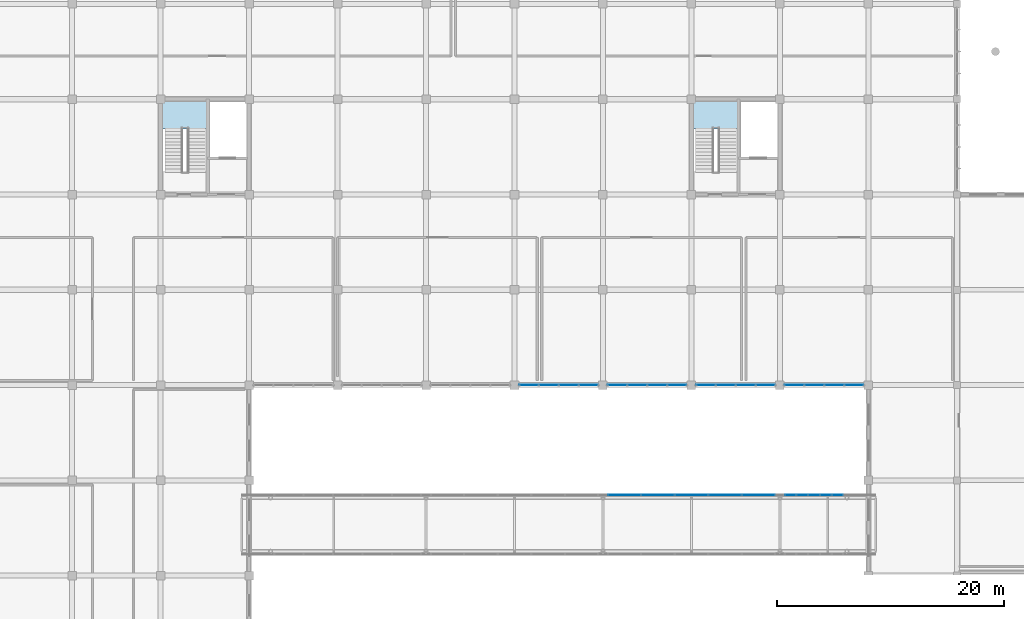
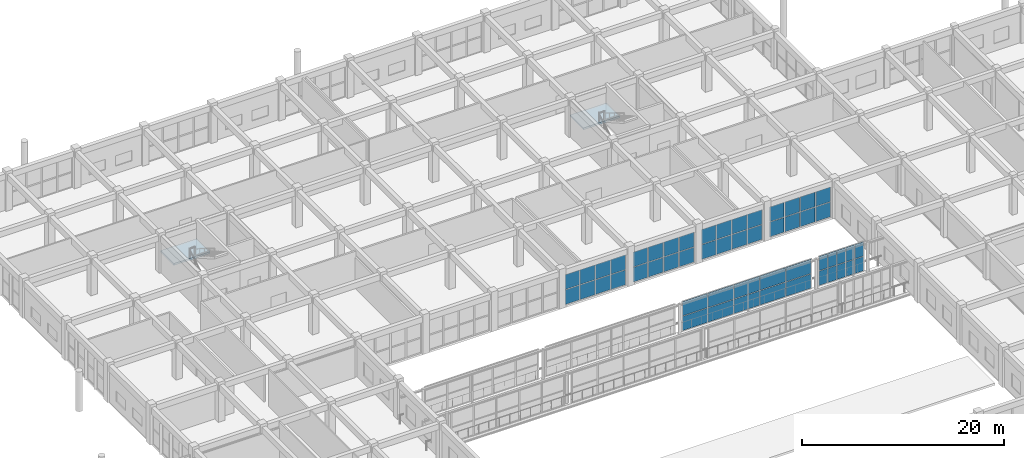
# One storey, part 138 of 167: 52 plates, 2 slabs, 8 elements without a shape of their own.
"""IFC4 building model written with IfcOpenShell, lengths in metres."""

from ifc_helpers import new_model, si_unit, direction, frame, origin, origin_2d, place, context, subcontext, project, spatial, polyline, rectangle, outline, extrude, material, layer, layer_set, type_object, element, aggregate, save


model = new_model("IFC4")

# Units and contexts
model_context = context("Model", 3, precision=1e-05, world=origin(), true_north=direction((0.0, 1.0)))
body_context = subcontext(model_context, "Body", "Model", "MODEL_VIEW")
ifc_project = project(units=[si_unit("LENGTHUNIT", "METRE"), si_unit("AREAUNIT", "SQUARE_METRE"), si_unit("VOLUMEUNIT", "CUBIC_METRE"), si_unit("PLANEANGLEUNIT", "RADIAN"), si_unit("MASSUNIT", "GRAM", prefix="KILO")], contexts=[model_context])

# Site, building, storey
site_placement = place(None, origin())
site = spatial("IfcSite", under=ifc_project, at=site_placement, CompositionType="ELEMENT")
building_placement = place(site_placement, origin())
building = spatial("IfcBuilding", under=site, at=building_placement, Name="Zizhar Promenade General Hospital", CompositionType="ELEMENT")
storey_placement = place(building_placement, frame((0.0, 0.0, 9.60009765625)))
storey = spatial("IfcBuildingStorey", under=building, at=storey_placement, Name="L02", CompositionType="ELEMENT", Elevation=9.60009765625)

# Curtain wall, plates
ifc_material_1 = material(Name="Anodised aluminium 6063-T6 and low-E glass", Category="aluminium")
ifc_layer_1 = layer(ifc_material_1, 0.159912109375)
ifc_layer_set_1 = layer_set([ifc_layer_1], Name="Anodised aluminium 6063-T6 and low-E glass")
curtain_wall_type_1 = type_object("IfcCurtainWallType", Name="CW-DT-MOD1", PredefinedType="NOTDEFINED", material=ifc_layer_set_1)
curtain_wall_1_placement = place(storey_placement, origin())
curtain_wall_1 = element("IfcCurtainWall", 1, at=curtain_wall_1_placement, inside=storey, type_object=curtain_wall_type_1, Name="Garden Court North Surgical Glazing L02-12", PredefinedType="NOTDEFINED")
ifc_material_2 = material(Name="Low-E solar-control glass", Category="glass")
ifc_layer_2 = layer(ifc_material_2, 0.031982421875)
ifc_layer_set_2 = layer_set([ifc_layer_2], Name="Low-E solar-control glass")
plate_type = type_object("IfcPlateType", Name="CWP-GLZ-32", PredefinedType="CURTAIN_PANEL", material=ifc_layer_set_2)
plate_1_placement = place(storey_placement, frame((100.135009765625, 92.39990234375, 0.06005859375), z_axis=(0.0, 0.0, 1.0), x_axis=(-1.0, 0.0, 0.0)))
plate_1 = element("IfcPlate", 2, at=plate_1_placement, type_object=plate_type, Name="CW-07 panel 1.1", PredefinedType="CURTAIN_PANEL", context=body_context, shape_type="SweptSolid", body=[
    extrude(rectangle(XDim=1.64990234375, YDim=0.031982421875, at=origin_2d()), origin(), (0.0, 0.0, 1.0), 1.77490234375),
])
plate_2_placement = place(storey_placement, frame((100.135009765625, 92.39990234375, 1.89501953125), z_axis=(0.0, 0.0, 1.0), x_axis=(-1.0, 0.0, 0.0)))
plate_2 = element("IfcPlate", 3, at=plate_2_placement, type_object=plate_type, Name="CW-07 panel 1.2", PredefinedType="CURTAIN_PANEL", context=body_context, shape_type="SweptSolid", body=[
    extrude(rectangle(XDim=1.64990234375, YDim=0.031982421875, at=origin_2d()), origin(), (0.0, 0.0, 1.0), 1.77490234375),
])
plate_3_placement = place(storey_placement, frame((98.385009765625, 92.39990234375, 0.06005859375), z_axis=(0.0, 0.0, 1.0), x_axis=(-1.0, 0.0, 0.0)))
plate_3 = element("IfcPlate", 4, at=plate_3_placement, type_object=plate_type, Name="CW-07 panel 2.1", PredefinedType="CURTAIN_PANEL", context=body_context, shape_type="SweptSolid", body=[
    extrude(rectangle(XDim=1.68994140625, YDim=0.031982421875, at=origin_2d()), origin(), (0.0, 0.0, 1.0), 1.77490234375),
])
plate_4_placement = place(storey_placement, frame((98.385009765625, 92.39990234375, 1.89501953125), z_axis=(0.0, 0.0, 1.0), x_axis=(-1.0, 0.0, 0.0)))
plate_4 = element("IfcPlate", 5, at=plate_4_placement, type_object=plate_type, Name="CW-07 panel 2.2", PredefinedType="CURTAIN_PANEL", context=body_context, shape_type="SweptSolid", body=[
    extrude(rectangle(XDim=1.68994140625, YDim=0.031982421875, at=origin_2d()), origin(), (0.0, 0.0, 1.0), 1.77490234375),
])
plate_5_placement = place(storey_placement, frame((96.614990234375, 92.39990234375, 0.06005859375), z_axis=(0.0, 0.0, 1.0), x_axis=(-1.0, 0.0, 0.0)))
plate_5 = element("IfcPlate", 6, at=plate_5_placement, type_object=plate_type, Name="CW-07 panel 3.1", PredefinedType="CURTAIN_PANEL", context=body_context, shape_type="SweptSolid", body=[
    extrude(rectangle(XDim=1.68994140625, YDim=0.031982421875, at=origin_2d()), origin(), (0.0, 0.0, 1.0), 1.77490234375),
])
plate_6_placement = place(storey_placement, frame((96.614990234375, 92.39990234375, 1.89501953125), z_axis=(0.0, 0.0, 1.0), x_axis=(-1.0, 0.0, 0.0)))
plate_6 = element("IfcPlate", 7, at=plate_6_placement, type_object=plate_type, Name="CW-07 panel 3.2", PredefinedType="CURTAIN_PANEL", context=body_context, shape_type="SweptSolid", body=[
    extrude(rectangle(XDim=1.68994140625, YDim=0.031982421875, at=origin_2d()), origin(), (0.0, 0.0, 1.0), 1.77490234375),
])
plate_7_placement = place(storey_placement, frame((94.864990234375, 92.39990234375, 0.06005859375), z_axis=(0.0, 0.0, 1.0), x_axis=(-1.0, 0.0, 0.0)))
plate_7 = element("IfcPlate", 8, at=plate_7_placement, type_object=plate_type, Name="CW-07 panel 4.1", PredefinedType="CURTAIN_PANEL", context=body_context, shape_type="SweptSolid", body=[
    extrude(rectangle(XDim=1.64990234375, YDim=0.031982421875, at=origin_2d()), origin(), (0.0, 0.0, 1.0), 1.77490234375),
])
plate_8_placement = place(storey_placement, frame((94.864990234375, 92.39990234375, 1.89501953125), z_axis=(0.0, 0.0, 1.0), x_axis=(-1.0, 0.0, 0.0)))
plate_8 = element("IfcPlate", 9, at=plate_8_placement, type_object=plate_type, Name="CW-07 panel 4.2", PredefinedType="CURTAIN_PANEL", context=body_context, shape_type="SweptSolid", body=[
    extrude(rectangle(XDim=1.64990234375, YDim=0.031982421875, at=origin_2d()), origin(), (0.0, 0.0, 1.0), 1.77490234375),
])
aggregate(curtain_wall_1, [plate_1, plate_2, plate_3, plate_4, plate_5, plate_6, plate_7, plate_8])

curtain_wall_2_placement = place(storey_placement, origin())
curtain_wall_2 = element("IfcCurtainWall", 10, at=curtain_wall_2_placement, inside=storey, type_object=curtain_wall_type_1, Name="Garden Court North Surgical Glazing L02-13", PredefinedType="NOTDEFINED")
plate_9_placement = place(storey_placement, frame((107.93505859375, 92.39990234375, 0.06005859375), z_axis=(0.0, 0.0, 1.0), x_axis=(-1.0, 0.0, 0.0)))
plate_9 = element("IfcPlate", 11, at=plate_9_placement, type_object=plate_type, Name="CW-07 panel 1.1", PredefinedType="CURTAIN_PANEL", context=body_context, shape_type="SweptSolid", body=[
    extrude(rectangle(XDim=1.64990234375, YDim=0.031982421875, at=origin_2d()), origin(), (0.0, 0.0, 1.0), 1.77490234375),
])
plate_10_placement = place(storey_placement, frame((107.93505859375, 92.39990234375, 1.89501953125), z_axis=(0.0, 0.0, 1.0), x_axis=(-1.0, 0.0, 0.0)))
plate_10 = element("IfcPlate", 12, at=plate_10_placement, type_object=plate_type, Name="CW-07 panel 1.2", PredefinedType="CURTAIN_PANEL", context=body_context, shape_type="SweptSolid", body=[
    extrude(rectangle(XDim=1.64990234375, YDim=0.031982421875, at=origin_2d()), origin(), (0.0, 0.0, 1.0), 1.77490234375),
])
plate_11_placement = place(storey_placement, frame((106.18505859375, 92.39990234375, 0.06005859375), z_axis=(0.0, 0.0, 1.0), x_axis=(-1.0, 0.0, 0.0)))
plate_11 = element("IfcPlate", 13, at=plate_11_placement, type_object=plate_type, Name="CW-07 panel 2.1", PredefinedType="CURTAIN_PANEL", context=body_context, shape_type="SweptSolid", body=[
    extrude(rectangle(XDim=1.68994140625, YDim=0.031982421875, at=origin_2d()), origin(), (0.0, 0.0, 1.0), 1.77490234375),
])
plate_12_placement = place(storey_placement, frame((106.18505859375, 92.39990234375, 1.89501953125), z_axis=(0.0, 0.0, 1.0), x_axis=(-1.0, 0.0, 0.0)))
plate_12 = element("IfcPlate", 14, at=plate_12_placement, type_object=plate_type, Name="CW-07 panel 2.2", PredefinedType="CURTAIN_PANEL", context=body_context, shape_type="SweptSolid", body=[
    extrude(rectangle(XDim=1.68994140625, YDim=0.031982421875, at=origin_2d()), origin(), (0.0, 0.0, 1.0), 1.77490234375),
])
plate_13_placement = place(storey_placement, frame((104.4150390625, 92.39990234375, 0.06005859375), z_axis=(0.0, 0.0, 1.0), x_axis=(-1.0, 0.0, 0.0)))
plate_13 = element("IfcPlate", 15, at=plate_13_placement, type_object=plate_type, Name="CW-07 panel 3.1", PredefinedType="CURTAIN_PANEL", context=body_context, shape_type="SweptSolid", body=[
    extrude(rectangle(XDim=1.68994140625, YDim=0.031982421875, at=origin_2d()), origin(), (0.0, 0.0, 1.0), 1.77490234375),
])
plate_14_placement = place(storey_placement, frame((104.4150390625, 92.39990234375, 1.89501953125), z_axis=(0.0, 0.0, 1.0), x_axis=(-1.0, 0.0, 0.0)))
plate_14 = element("IfcPlate", 16, at=plate_14_placement, type_object=plate_type, Name="CW-07 panel 3.2", PredefinedType="CURTAIN_PANEL", context=body_context, shape_type="SweptSolid", body=[
    extrude(rectangle(XDim=1.68994140625, YDim=0.031982421875, at=origin_2d()), origin(), (0.0, 0.0, 1.0), 1.77490234375),
])
plate_15_placement = place(storey_placement, frame((102.6650390625, 92.39990234375, 0.06005859375), z_axis=(0.0, 0.0, 1.0), x_axis=(-1.0, 0.0, 0.0)))
plate_15 = element("IfcPlate", 17, at=plate_15_placement, type_object=plate_type, Name="CW-07 panel 4.1", PredefinedType="CURTAIN_PANEL", context=body_context, shape_type="SweptSolid", body=[
    extrude(rectangle(XDim=1.64990234375, YDim=0.031982421875, at=origin_2d()), origin(), (0.0, 0.0, 1.0), 1.77490234375),
])
plate_16_placement = place(storey_placement, frame((102.6650390625, 92.39990234375, 1.89501953125), z_axis=(0.0, 0.0, 1.0), x_axis=(-1.0, 0.0, 0.0)))
plate_16 = element("IfcPlate", 18, at=plate_16_placement, type_object=plate_type, Name="CW-07 panel 4.2", PredefinedType="CURTAIN_PANEL", context=body_context, shape_type="SweptSolid", body=[
    extrude(rectangle(XDim=1.64990234375, YDim=0.031982421875, at=origin_2d()), origin(), (0.0, 0.0, 1.0), 1.77490234375),
])
aggregate(curtain_wall_2, [plate_9, plate_10, plate_11, plate_12, plate_13, plate_14, plate_15, plate_16])

curtain_wall_3_placement = place(storey_placement, origin())
curtain_wall_3 = element("IfcCurtainWall", 19, at=curtain_wall_3_placement, inside=storey, type_object=curtain_wall_type_1, Name="Garden Court North Surgical Glazing L02-14", PredefinedType="NOTDEFINED")
plate_17_placement = place(storey_placement, frame((115.735107421875, 92.39990234375, 0.06005859375), z_axis=(0.0, 0.0, 1.0), x_axis=(-1.0, 0.0, 0.0)))
plate_17 = element("IfcPlate", 20, at=plate_17_placement, type_object=plate_type, Name="CW-07 panel 1.1", PredefinedType="CURTAIN_PANEL", context=body_context, shape_type="SweptSolid", body=[
    extrude(rectangle(XDim=1.64990234375, YDim=0.031982421875, at=origin_2d()), origin(), (0.0, 0.0, 1.0), 1.77490234375),
])
plate_18_placement = place(storey_placement, frame((115.735107421875, 92.39990234375, 1.89501953125), z_axis=(0.0, 0.0, 1.0), x_axis=(-1.0, 0.0, 0.0)))
plate_18 = element("IfcPlate", 21, at=plate_18_placement, type_object=plate_type, Name="CW-07 panel 1.2", PredefinedType="CURTAIN_PANEL", context=body_context, shape_type="SweptSolid", body=[
    extrude(rectangle(XDim=1.64990234375, YDim=0.031982421875, at=origin_2d()), origin(), (0.0, 0.0, 1.0), 1.77490234375),
])
plate_19_placement = place(storey_placement, frame((113.985107421875, 92.39990234375, 0.06005859375), z_axis=(0.0, 0.0, 1.0), x_axis=(-1.0, 0.0, 0.0)))
plate_19 = element("IfcPlate", 22, at=plate_19_placement, type_object=plate_type, Name="CW-07 panel 2.1", PredefinedType="CURTAIN_PANEL", context=body_context, shape_type="SweptSolid", body=[
    extrude(rectangle(XDim=1.68994140625, YDim=0.031982421875, at=origin_2d()), origin(), (0.0, 0.0, 1.0), 1.77490234375),
])
plate_20_placement = place(storey_placement, frame((113.985107421875, 92.39990234375, 1.89501953125), z_axis=(0.0, 0.0, 1.0), x_axis=(-1.0, 0.0, 0.0)))
plate_20 = element("IfcPlate", 23, at=plate_20_placement, type_object=plate_type, Name="CW-07 panel 2.2", PredefinedType="CURTAIN_PANEL", context=body_context, shape_type="SweptSolid", body=[
    extrude(rectangle(XDim=1.68994140625, YDim=0.031982421875, at=origin_2d()), origin(), (0.0, 0.0, 1.0), 1.77490234375),
])
plate_21_placement = place(storey_placement, frame((112.215087890625, 92.39990234375, 0.06005859375), z_axis=(0.0, 0.0, 1.0), x_axis=(-1.0, 0.0, 0.0)))
plate_21 = element("IfcPlate", 24, at=plate_21_placement, type_object=plate_type, Name="CW-07 panel 3.1", PredefinedType="CURTAIN_PANEL", context=body_context, shape_type="SweptSolid", body=[
    extrude(rectangle(XDim=1.68994140625, YDim=0.031982421875, at=origin_2d()), origin(), (0.0, 0.0, 1.0), 1.77490234375),
])
plate_22_placement = place(storey_placement, frame((112.215087890625, 92.39990234375, 1.89501953125), z_axis=(0.0, 0.0, 1.0), x_axis=(-1.0, 0.0, 0.0)))
plate_22 = element("IfcPlate", 25, at=plate_22_placement, type_object=plate_type, Name="CW-07 panel 3.2", PredefinedType="CURTAIN_PANEL", context=body_context, shape_type="SweptSolid", body=[
    extrude(rectangle(XDim=1.68994140625, YDim=0.031982421875, at=origin_2d()), origin(), (0.0, 0.0, 1.0), 1.77490234375),
])
plate_23_placement = place(storey_placement, frame((110.465087890625, 92.39990234375, 0.06005859375), z_axis=(0.0, 0.0, 1.0), x_axis=(-1.0, 0.0, 0.0)))
plate_23 = element("IfcPlate", 26, at=plate_23_placement, type_object=plate_type, Name="CW-07 panel 4.1", PredefinedType="CURTAIN_PANEL", context=body_context, shape_type="SweptSolid", body=[
    extrude(rectangle(XDim=1.64990234375, YDim=0.031982421875, at=origin_2d()), origin(), (0.0, 0.0, 1.0), 1.77490234375),
])
plate_24_placement = place(storey_placement, frame((110.465087890625, 92.39990234375, 1.89501953125), z_axis=(0.0, 0.0, 1.0), x_axis=(-1.0, 0.0, 0.0)))
plate_24 = element("IfcPlate", 27, at=plate_24_placement, type_object=plate_type, Name="CW-07 panel 4.2", PredefinedType="CURTAIN_PANEL", context=body_context, shape_type="SweptSolid", body=[
    extrude(rectangle(XDim=1.64990234375, YDim=0.031982421875, at=origin_2d()), origin(), (0.0, 0.0, 1.0), 1.77490234375),
])
aggregate(curtain_wall_3, [plate_17, plate_18, plate_19, plate_20, plate_21, plate_22, plate_23, plate_24])

curtain_wall_4_placement = place(storey_placement, origin())
curtain_wall_4 = element("IfcCurtainWall", 28, at=curtain_wall_4_placement, inside=storey, type_object=curtain_wall_type_1, Name="Garden Court North Surgical Glazing L02-15", PredefinedType="NOTDEFINED")
plate_25_placement = place(storey_placement, frame((123.534912109375, 92.39990234375, 0.06005859375), z_axis=(0.0, 0.0, 1.0), x_axis=(-1.0, 0.0, 0.0)))
plate_25 = element("IfcPlate", 29, at=plate_25_placement, type_object=plate_type, Name="CW-07 panel 1.1", PredefinedType="CURTAIN_PANEL", context=body_context, shape_type="SweptSolid", body=[
    extrude(rectangle(XDim=1.64990234375, YDim=0.031982421875, at=origin_2d()), origin(), (0.0, 0.0, 1.0), 1.77490234375),
])
plate_26_placement = place(storey_placement, frame((123.534912109375, 92.39990234375, 1.89501953125), z_axis=(0.0, 0.0, 1.0), x_axis=(-1.0, 0.0, 0.0)))
plate_26 = element("IfcPlate", 30, at=plate_26_placement, type_object=plate_type, Name="CW-07 panel 1.2", PredefinedType="CURTAIN_PANEL", context=body_context, shape_type="SweptSolid", body=[
    extrude(rectangle(XDim=1.64990234375, YDim=0.031982421875, at=origin_2d()), origin(), (0.0, 0.0, 1.0), 1.77490234375),
])
plate_27_placement = place(storey_placement, frame((121.784912109375, 92.39990234375, 0.06005859375), z_axis=(0.0, 0.0, 1.0), x_axis=(-1.0, 0.0, 0.0)))
plate_27 = element("IfcPlate", 31, at=plate_27_placement, type_object=plate_type, Name="CW-07 panel 2.1", PredefinedType="CURTAIN_PANEL", context=body_context, shape_type="SweptSolid", body=[
    extrude(rectangle(XDim=1.68994140625, YDim=0.031982421875, at=origin_2d()), origin(), (0.0, 0.0, 1.0), 1.77490234375),
])
plate_28_placement = place(storey_placement, frame((121.784912109375, 92.39990234375, 1.89501953125), z_axis=(0.0, 0.0, 1.0), x_axis=(-1.0, 0.0, 0.0)))
plate_28 = element("IfcPlate", 32, at=plate_28_placement, type_object=plate_type, Name="CW-07 panel 2.2", PredefinedType="CURTAIN_PANEL", context=body_context, shape_type="SweptSolid", body=[
    extrude(rectangle(XDim=1.68994140625, YDim=0.031982421875, at=origin_2d()), origin(), (0.0, 0.0, 1.0), 1.77490234375),
])
plate_29_placement = place(storey_placement, frame((120.014892578125, 92.39990234375, 0.06005859375), z_axis=(0.0, 0.0, 1.0), x_axis=(-1.0, 0.0, 0.0)))
plate_29 = element("IfcPlate", 33, at=plate_29_placement, type_object=plate_type, Name="CW-07 panel 3.1", PredefinedType="CURTAIN_PANEL", context=body_context, shape_type="SweptSolid", body=[
    extrude(rectangle(XDim=1.68994140625, YDim=0.031982421875, at=origin_2d()), origin(), (0.0, 0.0, 1.0), 1.77490234375),
])
plate_30_placement = place(storey_placement, frame((120.014892578125, 92.39990234375, 1.89501953125), z_axis=(0.0, 0.0, 1.0), x_axis=(-1.0, 0.0, 0.0)))
plate_30 = element("IfcPlate", 34, at=plate_30_placement, type_object=plate_type, Name="CW-07 panel 3.2", PredefinedType="CURTAIN_PANEL", context=body_context, shape_type="SweptSolid", body=[
    extrude(rectangle(XDim=1.68994140625, YDim=0.031982421875, at=origin_2d()), origin(), (0.0, 0.0, 1.0), 1.77490234375),
])
plate_31_placement = place(storey_placement, frame((118.264892578125, 92.39990234375, 0.06005859375), z_axis=(0.0, 0.0, 1.0), x_axis=(-1.0, 0.0, 0.0)))
plate_31 = element("IfcPlate", 35, at=plate_31_placement, type_object=plate_type, Name="CW-07 panel 4.1", PredefinedType="CURTAIN_PANEL", context=body_context, shape_type="SweptSolid", body=[
    extrude(rectangle(XDim=1.64990234375, YDim=0.031982421875, at=origin_2d()), origin(), (0.0, 0.0, 1.0), 1.77490234375),
])
plate_32_placement = place(storey_placement, frame((118.264892578125, 92.39990234375, 1.89501953125), z_axis=(0.0, 0.0, 1.0), x_axis=(-1.0, 0.0, 0.0)))
plate_32 = element("IfcPlate", 36, at=plate_32_placement, type_object=plate_type, Name="CW-07 panel 4.2", PredefinedType="CURTAIN_PANEL", context=body_context, shape_type="SweptSolid", body=[
    extrude(rectangle(XDim=1.64990234375, YDim=0.031982421875, at=origin_2d()), origin(), (0.0, 0.0, 1.0), 1.77490234375),
])
aggregate(curtain_wall_4, [plate_25, plate_26, plate_27, plate_28, plate_29, plate_30, plate_31, plate_32])

ifc_material_3 = material(Name="Anodised aluminium 6063-T6 and low-E glass", Category="aluminium")
ifc_layer_3 = layer(ifc_material_3, 0.159912109375)
ifc_layer_set_3 = layer_set([ifc_layer_3], Name="Anodised aluminium 6063-T6 and low-E glass")
curtain_wall_type_2 = type_object("IfcCurtainWallType", Name="CW-SKY-GLZ", PredefinedType="NOTDEFINED", material=ifc_layer_set_3)
curtain_wall_5_placement = place(storey_placement, origin())
curtain_wall_5 = element("IfcCurtainWall", 37, at=curtain_wall_5_placement, inside=storey, type_object=curtain_wall_type_2, Name="Courtyard Surgical-Clinic Skybridge Level L02 North Glazing 3", PredefinedType="NOTDEFINED")
plate_33_placement = place(storey_placement, frame((103.294921875, 82.699951171875, 0.059814453125), z_axis=(0.0, 0.0, 1.0), x_axis=(1.0, 0.0, 0.0)))
plate_33 = element("IfcPlate", 38, at=plate_33_placement, type_object=plate_type, Name="CW-15 panel 1.1", PredefinedType="CURTAIN_PANEL", context=body_context, shape_type="SweptSolid", body=[
    extrude(rectangle(XDim=2.8701171875, YDim=0.031982421875, at=origin_2d()), origin(), (0.0, 0.0, 1.0), 1.72998046875),
])
plate_34_placement = place(storey_placement, frame((103.294921875, 82.699951171875, 1.849853515625), z_axis=(0.0, 0.0, 1.0), x_axis=(1.0, 0.0, 0.0)))
plate_34 = element("IfcPlate", 39, at=plate_34_placement, type_object=plate_type, Name="CW-15 panel 1.2", PredefinedType="CURTAIN_PANEL", context=body_context, shape_type="SweptSolid", body=[
    extrude(rectangle(XDim=2.8701171875, YDim=0.031982421875, at=origin_2d()), origin(), (0.0, 0.0, 1.0), 1.72998046875),
])
plate_35_placement = place(storey_placement, frame((106.239990234375, 82.699951171875, 0.059814453125), z_axis=(0.0, 0.0, 1.0), x_axis=(1.0, 0.0, 0.0)))
plate_35 = element("IfcPlate", 40, at=plate_35_placement, type_object=plate_type, Name="CW-15 panel 2.1", PredefinedType="CURTAIN_PANEL", context=body_context, shape_type="SweptSolid", body=[
    extrude(rectangle(XDim=2.89990234375, YDim=0.031982421875, at=origin_2d()), origin(), (0.0, 0.0, 1.0), 1.72998046875),
])
plate_36_placement = place(storey_placement, frame((106.239990234375, 82.699951171875, 1.849853515625), z_axis=(0.0, 0.0, 1.0), x_axis=(1.0, 0.0, 0.0)))
plate_36 = element("IfcPlate", 41, at=plate_36_placement, type_object=plate_type, Name="CW-15 panel 2.2", PredefinedType="CURTAIN_PANEL", context=body_context, shape_type="SweptSolid", body=[
    extrude(rectangle(XDim=2.89990234375, YDim=0.031982421875, at=origin_2d()), origin(), (0.0, 0.0, 1.0), 1.72998046875),
])
plate_37_placement = place(storey_placement, frame((109.199951171875, 82.699951171875, 0.059814453125), z_axis=(0.0, 0.0, 1.0), x_axis=(1.0, 0.0, 0.0)))
plate_37 = element("IfcPlate", 42, at=plate_37_placement, type_object=plate_type, Name="CW-15 panel 3.1", PredefinedType="CURTAIN_PANEL", context=body_context, shape_type="SweptSolid", body=[
    extrude(rectangle(XDim=2.89990234375, YDim=0.031982421875, at=origin_2d()), origin(), (0.0, 0.0, 1.0), 1.72998046875),
])
plate_38_placement = place(storey_placement, frame((109.199951171875, 82.699951171875, 1.849853515625), z_axis=(0.0, 0.0, 1.0), x_axis=(1.0, 0.0, 0.0)))
plate_38 = element("IfcPlate", 43, at=plate_38_placement, type_object=plate_type, Name="CW-15 panel 3.2", PredefinedType="CURTAIN_PANEL", context=body_context, shape_type="SweptSolid", body=[
    extrude(rectangle(XDim=2.89990234375, YDim=0.031982421875, at=origin_2d()), origin(), (0.0, 0.0, 1.0), 1.72998046875),
])
plate_39_placement = place(storey_placement, frame((112.159912109375, 82.699951171875, 0.059814453125), z_axis=(0.0, 0.0, 1.0), x_axis=(1.0, 0.0, 0.0)))
plate_39 = element("IfcPlate", 44, at=plate_39_placement, type_object=plate_type, Name="CW-15 panel 4.1", PredefinedType="CURTAIN_PANEL", context=body_context, shape_type="SweptSolid", body=[
    extrude(rectangle(XDim=2.89990234375, YDim=0.031982421875, at=origin_2d()), origin(), (0.0, 0.0, 1.0), 1.72998046875),
])
plate_40_placement = place(storey_placement, frame((112.159912109375, 82.699951171875, 1.849853515625), z_axis=(0.0, 0.0, 1.0), x_axis=(1.0, 0.0, 0.0)))
plate_40 = element("IfcPlate", 45, at=plate_40_placement, type_object=plate_type, Name="CW-15 panel 4.2", PredefinedType="CURTAIN_PANEL", context=body_context, shape_type="SweptSolid", body=[
    extrude(rectangle(XDim=2.89990234375, YDim=0.031982421875, at=origin_2d()), origin(), (0.0, 0.0, 1.0), 1.72998046875),
])
plate_41_placement = place(storey_placement, frame((115.10498046875, 82.699951171875, 0.059814453125), z_axis=(0.0, 0.0, 1.0), x_axis=(1.0, 0.0, 0.0)))
plate_41 = element("IfcPlate", 46, at=plate_41_placement, type_object=plate_type, Name="CW-15 panel 5.1", PredefinedType="CURTAIN_PANEL", context=body_context, shape_type="SweptSolid", body=[
    extrude(rectangle(XDim=2.8701171875, YDim=0.031982421875, at=origin_2d()), origin(), (0.0, 0.0, 1.0), 1.72998046875),
])
plate_42_placement = place(storey_placement, frame((115.10498046875, 82.699951171875, 1.849853515625), z_axis=(0.0, 0.0, 1.0), x_axis=(1.0, 0.0, 0.0)))
plate_42 = element("IfcPlate", 47, at=plate_42_placement, type_object=plate_type, Name="CW-15 panel 5.2", PredefinedType="CURTAIN_PANEL", context=body_context, shape_type="SweptSolid", body=[
    extrude(rectangle(XDim=2.8701171875, YDim=0.031982421875, at=origin_2d()), origin(), (0.0, 0.0, 1.0), 1.72998046875),
])
aggregate(curtain_wall_5, [plate_33, plate_34, plate_35, plate_36, plate_37, plate_38, plate_39, plate_40, plate_41, plate_42])

curtain_wall_6_placement = place(storey_placement, origin())
curtain_wall_6 = element("IfcCurtainWall", 48, at=curtain_wall_6_placement, inside=storey, type_object=curtain_wall_type_2, Name="Courtyard Surgical-Clinic Skybridge Level L02 North Glazing 4", PredefinedType="NOTDEFINED")
plate_43_placement = place(storey_placement, frame((117.93505859375, 82.699951171875, 0.059814453125), z_axis=(0.0, 0.0, 1.0), x_axis=(1.0, 0.0, 0.0)))
plate_43 = element("IfcPlate", 49, at=plate_43_placement, type_object=plate_type, Name="CW-15 panel 1.1", PredefinedType="CURTAIN_PANEL", context=body_context, shape_type="SweptSolid", body=[
    extrude(rectangle(XDim=0.949951171875, YDim=0.031982421875, at=origin_2d()), origin(), (0.0, 0.0, 1.0), 1.72998046875),
])
plate_44_placement = place(storey_placement, frame((117.93505859375, 82.699951171875, 1.849853515625), z_axis=(0.0, 0.0, 1.0), x_axis=(1.0, 0.0, 0.0)))
plate_44 = element("IfcPlate", 50, at=plate_44_placement, type_object=plate_type, Name="CW-15 panel 1.2", PredefinedType="CURTAIN_PANEL", context=body_context, shape_type="SweptSolid", body=[
    extrude(rectangle(XDim=0.949951171875, YDim=0.031982421875, at=origin_2d()), origin(), (0.0, 0.0, 1.0), 1.72998046875),
])
plate_45_placement = place(storey_placement, frame((118.9599609375, 82.699951171875, 0.059814453125), z_axis=(0.0, 0.0, 1.0), x_axis=(1.0, 0.0, 0.0)))
plate_45 = element("IfcPlate", 51, at=plate_45_placement, type_object=plate_type, Name="CW-15 panel 2.1", PredefinedType="CURTAIN_PANEL", context=body_context, shape_type="SweptSolid", body=[
    extrude(rectangle(XDim=0.97998046875, YDim=0.031982421875, at=origin_2d()), origin(), (0.0, 0.0, 1.0), 1.72998046875),
])
plate_46_placement = place(storey_placement, frame((118.9599609375, 82.699951171875, 1.849853515625), z_axis=(0.0, 0.0, 1.0), x_axis=(1.0, 0.0, 0.0)))
plate_46 = element("IfcPlate", 52, at=plate_46_placement, type_object=plate_type, Name="CW-15 panel 2.2", PredefinedType="CURTAIN_PANEL", context=body_context, shape_type="SweptSolid", body=[
    extrude(rectangle(XDim=0.97998046875, YDim=0.031982421875, at=origin_2d()), origin(), (0.0, 0.0, 1.0), 1.72998046875),
])
plate_47_placement = place(storey_placement, frame((120.0, 82.699951171875, 0.059814453125), z_axis=(0.0, 0.0, 1.0), x_axis=(1.0, 0.0, 0.0)))
plate_47 = element("IfcPlate", 53, at=plate_47_placement, type_object=plate_type, Name="CW-15 panel 3.1", PredefinedType="CURTAIN_PANEL", context=body_context, shape_type="SweptSolid", body=[
    extrude(rectangle(XDim=0.97998046875, YDim=0.031982421875, at=origin_2d()), origin(), (0.0, 0.0, 1.0), 1.72998046875),
])
plate_48_placement = place(storey_placement, frame((120.0, 82.699951171875, 1.849853515625), z_axis=(0.0, 0.0, 1.0), x_axis=(1.0, 0.0, 0.0)))
plate_48 = element("IfcPlate", 54, at=plate_48_placement, type_object=plate_type, Name="CW-15 panel 3.2", PredefinedType="CURTAIN_PANEL", context=body_context, shape_type="SweptSolid", body=[
    extrude(rectangle(XDim=0.97998046875, YDim=0.031982421875, at=origin_2d()), origin(), (0.0, 0.0, 1.0), 1.72998046875),
])
plate_49_placement = place(storey_placement, frame((121.0400390625, 82.699951171875, 0.059814453125), z_axis=(0.0, 0.0, 1.0), x_axis=(1.0, 0.0, 0.0)))
plate_49 = element("IfcPlate", 55, at=plate_49_placement, type_object=plate_type, Name="CW-15 panel 4.1", PredefinedType="CURTAIN_PANEL", context=body_context, shape_type="SweptSolid", body=[
    extrude(rectangle(XDim=0.97998046875, YDim=0.031982421875, at=origin_2d()), origin(), (0.0, 0.0, 1.0), 1.72998046875),
])
plate_50_placement = place(storey_placement, frame((121.0400390625, 82.699951171875, 1.849853515625), z_axis=(0.0, 0.0, 1.0), x_axis=(1.0, 0.0, 0.0)))
plate_50 = element("IfcPlate", 56, at=plate_50_placement, type_object=plate_type, Name="CW-15 panel 4.2", PredefinedType="CURTAIN_PANEL", context=body_context, shape_type="SweptSolid", body=[
    extrude(rectangle(XDim=0.97998046875, YDim=0.031982421875, at=origin_2d()), origin(), (0.0, 0.0, 1.0), 1.72998046875),
])
plate_51_placement = place(storey_placement, frame((122.06494140625, 82.699951171875, 0.059814453125), z_axis=(0.0, 0.0, 1.0), x_axis=(1.0, 0.0, 0.0)))
plate_51 = element("IfcPlate", 57, at=plate_51_placement, type_object=plate_type, Name="CW-15 panel 5.1", PredefinedType="CURTAIN_PANEL", context=body_context, shape_type="SweptSolid", body=[
    extrude(rectangle(XDim=0.949951171875, YDim=0.031982421875, at=origin_2d()), origin(), (0.0, 0.0, 1.0), 1.72998046875),
])
plate_52_placement = place(storey_placement, frame((122.06494140625, 82.699951171875, 1.849853515625), z_axis=(0.0, 0.0, 1.0), x_axis=(1.0, 0.0, 0.0)))
plate_52 = element("IfcPlate", 58, at=plate_52_placement, type_object=plate_type, Name="CW-15 panel 5.2", PredefinedType="CURTAIN_PANEL", context=body_context, shape_type="SweptSolid", body=[
    extrude(rectangle(XDim=0.949951171875, YDim=0.031982421875, at=origin_2d()), origin(), (0.0, 0.0, 1.0), 1.72998046875),
])
aggregate(curtain_wall_6, [plate_43, plate_44, plate_45, plate_46, plate_47, plate_48, plate_49, plate_50, plate_51, plate_52])

# Stair, slab
ifc_material_4 = material(Name="Concrete C35/45", Category="concrete")
stair_type = type_object("IfcStairType", Name="STR-DOG-480", PredefinedType="HALF_TURN_STAIR", material=ifc_material_4)
stair_1_placement = place(storey_placement, origin())
stair_1 = element("IfcStair", 59, at=stair_1_placement, inside=storey, type_object=stair_type, Name="Exit Stair ST-06 (L02 to L03)", PredefinedType="HALF_TURN_STAIR")
ifc_material_5 = material(Name="Concrete C35/45", Category="concrete")
ifc_layer_4 = layer(ifc_material_5, 0.219970703125)
ifc_layer_set_4 = layer_set([ifc_layer_4], Name="Concrete C35/45")
slab_type = type_object("IfcSlabType", Name="SLB-LAND-480", PredefinedType="LANDING", material=ifc_layer_set_4)
slab_1_placement = place(storey_placement, frame((0.0, 0.0, 2.179931640625)))
slab_1 = element("IfcSlab", 60, at=slab_1_placement, type_object=slab_type, Name="ST-06A landing 1", PredefinedType="LANDING", context=body_context, shape_type="SweptSolid", body=[
    extrude(outline(polyline([(62.39990234375, 114.969970703125), (66.550048828125, 114.969970703125), (66.550048828125, 117.60009765625), (62.39990234375, 117.60009765625), (62.39990234375, 114.969970703125)])), origin(), (0.0, 0.0, 1.0), 0.219970703125),
])
aggregate(stair_1, [slab_1])

stair_2_placement = place(storey_placement, origin())
stair_2 = element("IfcStair", 61, at=stair_2_placement, inside=storey, type_object=stair_type, Name="Exit Stair ST-07 (L02 to L03)", PredefinedType="HALF_TURN_STAIR")
slab_2_placement = place(storey_placement, frame((0.0, 0.0, 2.179931640625)))
slab_2 = element("IfcSlab", 62, at=slab_2_placement, type_object=slab_type, Name="ST-07A landing 1", PredefinedType="LANDING", context=body_context, shape_type="SweptSolid", body=[
    extrude(outline(polyline([(109.199951171875, 114.969970703125), (113.35009765625, 114.969970703125), (113.35009765625, 117.60009765625), (109.199951171875, 117.60009765625), (109.199951171875, 114.969970703125)])), origin(), (0.0, 0.0, 1.0), 0.219970703125),
])
aggregate(stair_2, [slab_2])

save(model, "model.ifc")
